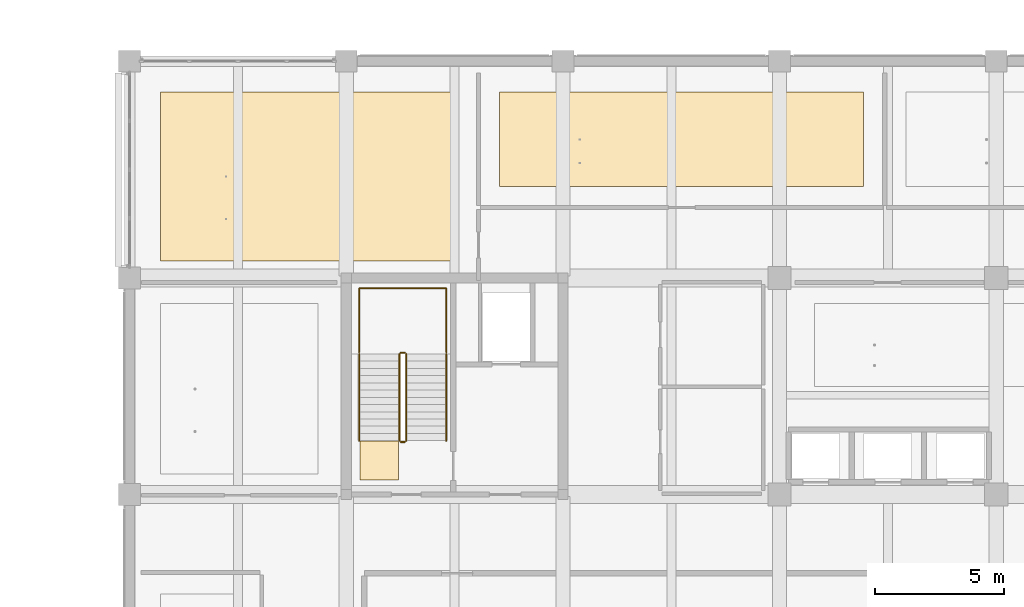
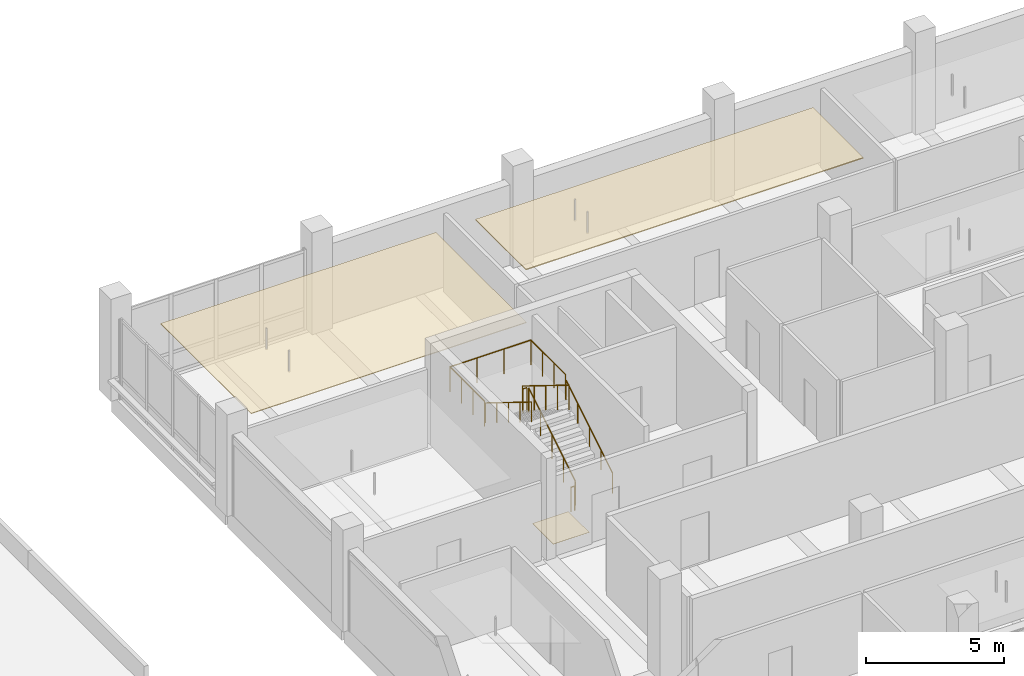
# One storey, part 31 of 39: 7 railings, 3 coverings.
"""IFC4 building model written with IfcOpenShell, lengths in metres."""

import ifcopenshell
import ifcopenshell.guid

model = None  # the IFC model being written
_history = None  # IfcOwnerHistory: only IFC2X3 demands one
_inside = {}  # id of a spatial element -> (the spatial element, [elements in it])
_under = {}  # id of a project, library or spatial element -> (it, [spatial elements below it])
_declared = {}  # id of a project -> (the project, [libraries it declares])
_typed = {}  # id of a type object -> (the type object, [elements of that type])
_made_of = {}  # id of a material, layer set ... -> (it, [elements and type objects made of it])


def new_model(schema):
    """Start an empty IFC model of exactly this schema.

    Asked for "IFC4X3", IfcOpenShell would pick the latest addendum, in which some entities
    have other attributes; the version numbers below select the first issue.
    IFC2X3 requires an IfcOwnerHistory on every rooted entity: one is made here for all.
    """
    global model, _history
    if schema == "IFC4X3":
        model = ifcopenshell.file(schema_version=(4, 3, 0, 0))
    else:
        model = ifcopenshell.file(schema=schema)
    _inside.clear()
    _under.clear()
    _declared.clear()
    _typed.clear()
    _made_of.clear()
    _history = None
    if model.schema == "IFC2X3":
        org = make("IfcOrganization", Name="unknown")
        user = make(
            "IfcPersonAndOrganization",
            ThePerson=make("IfcPerson", FamilyName="unknown"),
            TheOrganization=org,
        )
        app = make(
            "IfcApplication",
            ApplicationDeveloper=org,
            Version="unknown",
            ApplicationFullName="unknown",
            ApplicationIdentifier="unknown",
        )
        _history = make(
            "IfcOwnerHistory",
            OwningUser=user,
            OwningApplication=app,
            ChangeAction="ADDED",
            CreationDate=0,
        )
    return model


def make(cls, **values):
    """One entity of the class cls with the attributes given. An attribute that is None is left unset."""
    return model.create_entity(
        cls, **{name: value for name, value in values.items() if value is not None}
    )


def rooted(cls, **values):
    """An entity with a GlobalId (a new one), such as an element, a storey or a relation."""
    return make(cls, GlobalId=ifcopenshell.guid.new(), OwnerHistory=_history, **values)


def si_unit(unit_type, name, prefix=None):
    """IfcSIUnit, for example si_unit("LENGTHUNIT", "METRE", prefix="MILLI")."""
    return make("IfcSIUnit", UnitType=unit_type, Prefix=prefix, Name=name)


def assignment(units):
    """IfcUnitAssignment: the units of a project."""
    return None if units is None else make("IfcUnitAssignment", Units=units)


def point(xyz):
    """IfcCartesianPoint."""
    return None if xyz is None else make("IfcCartesianPoint", Coordinates=xyz)


def direction(xyz):
    """IfcDirection."""
    return None if xyz is None else make("IfcDirection", DirectionRatios=xyz)


def frame(location, z_axis=None, x_axis=None):
    """IfcAxis2Placement3D, a coordinate frame: its origin and axes. An axis left out is left unset."""
    return make(
        "IfcAxis2Placement3D",
        Location=point(location),
        Axis=direction(z_axis),
        RefDirection=direction(x_axis),
    )


def frame_2d(location, x_axis=None):
    """IfcAxis2Placement2D, a coordinate frame in the plane: its origin and x axis."""
    return make(
        "IfcAxis2Placement2D", Location=point(location), RefDirection=direction(x_axis)
    )


def origin():
    """The frame at (0, 0, 0) with its axes left unset."""
    return frame((0.0, 0.0, 0.0))


def origin_2d():
    """The frame at (0, 0) in the plane with its x axis left unset."""
    return frame_2d((0.0, 0.0))


def place(relative_to, where):
    """IfcLocalPlacement: puts the frame where relative to a parent placement (None: the world)."""
    return make(
        "IfcLocalPlacement", PlacementRelTo=relative_to, RelativePlacement=where
    )


def context(
    kind, dimensions, precision=None, world=None, true_north=None, identifier=None
):
    """IfcGeometricRepresentationContext, for example the 3D "Model" context."""
    return make(
        "IfcGeometricRepresentationContext",
        ContextIdentifier=identifier,
        ContextType=kind,
        CoordinateSpaceDimension=dimensions,
        Precision=precision,
        WorldCoordinateSystem=world,
        TrueNorth=true_north,
    )


def subcontext(parent, identifier, kind, view, scale=None):
    """IfcGeometricRepresentationSubContext, for example "Body" below "Model"."""
    return make(
        "IfcGeometricRepresentationSubContext",
        ContextIdentifier=identifier,
        ContextType=kind,
        ParentContext=parent,
        TargetScale=scale,
        TargetView=view,
    )


def project(units=None, contexts=None):
    """IfcProject with its units and contexts."""
    return rooted(
        "IfcProject",
        Name="project",
        RepresentationContexts=contexts,
        UnitsInContext=assignment(units),
    )


def spatial(cls, under=None, at=None, **own):
    """A site, building, storey or space (cls), placed at a placement, below another one or the project."""
    s = rooted(cls, ObjectPlacement=at, **own)
    if under is not None:
        _under.setdefault(under.id(), (under, []))[1].append(s)
    return s


def polyline(points):
    """IfcPolyline through the points."""
    return make("IfcPolyline", Points=[point(p) for p in points])


def profile(cls, at=None, kind="AREA", **sizes):
    """A parametric profile (cls). Its sizes go by their IFC names, for example OverallWidth=200.0."""
    return make(cls, ProfileType=kind, Position=at, **sizes)


def circle(**sizes):
    """IfcCircleProfileDef."""
    return profile("IfcCircleProfileDef", **sizes)


def outline(outer, holes=None, kind="AREA"):
    """IfcArbitraryClosedProfileDef: a profile drawn as a closed curve; with holes, ...WithVoids."""
    if holes is None:
        return make("IfcArbitraryClosedProfileDef", ProfileType=kind, OuterCurve=outer)
    return make(
        "IfcArbitraryProfileDefWithVoids",
        ProfileType=kind,
        OuterCurve=outer,
        InnerCurves=holes,
    )


def extrude(swept, where, along, depth):
    """IfcExtrudedAreaSolid: the profile swept, set in the frame where, extruded along a direction by depth."""
    return make(
        "IfcExtrudedAreaSolid",
        SweptArea=swept,
        Position=where,
        ExtrudedDirection=direction(along),
        Depth=depth,
    )


def shape(context_of_items, identifier, shape_type, items):
    """IfcShapeRepresentation: the items that make up one representation, for example the "Body"."""
    return make(
        "IfcShapeRepresentation",
        ContextOfItems=context_of_items,
        RepresentationIdentifier=identifier,
        RepresentationType=shape_type,
        Items=items,
    )


def material(Name=None, Category=None):
    """IfcMaterial."""
    return make("IfcMaterial", Name=Name, Category=Category)


def layer(
    of_material, thickness, ventilated=None, Name=None, Category=None, Priority=None
):
    """IfcMaterialLayer: one layer of a wall or slab, of a material (None: an air gap)."""
    return make(
        "IfcMaterialLayer",
        Material=of_material,
        LayerThickness=thickness,
        IsVentilated=ventilated,
        Name=Name,
        Category=Category,
        Priority=Priority,
    )


def layer_set(layers, Name=None):
    """IfcMaterialLayerSet."""
    return make("IfcMaterialLayerSet", MaterialLayers=layers, LayerSetName=Name)


def made_of(thing, what):
    """Note that an element or type object is made of a material, layer set ...; save() writes the relation."""
    if what is not None:
        _made_of.setdefault(what.id(), (what, []))[1].append(thing)
    return thing


def type_object(cls, material=None, **own):
    """A type object (cls), such as IfcWallType, which elements share."""
    return made_of(rooted(cls, **own), material)


def element(
    cls,
    number,
    at=None,
    inside=None,
    cuts=None,
    type_object=None,
    material=None,
    context=None,
    identifier="Body",
    shape_type=None,
    held_by="IfcProductDefinitionShape",
    body=None,
    shapes=None,
    **own,
):
    """One element of the class cls, such as IfcWall. Its Tag is "e" and its number.

    at: its placement. inside: the storey or other place that contains it. cuts: it is an
    opening in that element (IfcRelVoidsElement). A single representation is given by context,
    identifier, shape_type and body (its items); several are given by shapes. held_by: the class
    of the entity that holds the representations. save() writes the other relations.
    """
    e = rooted(cls, Tag="e%d" % number, ObjectPlacement=at, **own)
    if body is not None:
        shapes = [shape(context, identifier, shape_type, body)]
    if shapes is not None:
        e.Representation = make(held_by, Representations=shapes)
    if inside is not None:
        _inside.setdefault(inside.id(), (inside, []))[1].append(e)
    if cuts is not None:
        rooted(
            "IfcRelVoidsElement", RelatingBuildingElement=cuts, RelatedOpeningElement=e
        )
    if type_object is not None:
        _typed.setdefault(type_object.id(), (type_object, []))[1].append(e)
    return made_of(e, material)


def aggregate(whole, parts):
    """IfcRelAggregates: a whole, such as a stair, and the parts it consists of."""
    return rooted("IfcRelAggregates", RelatingObject=whole, RelatedObjects=parts)


def save(model, path):
    """Write the relations noted so far, then the file.

    IfcRelAggregates (storeys below a building ...), IfcRelContainedInSpatialStructure (elements
    in a storey), IfcRelDefinesByType, IfcRelAssociatesMaterial and IfcRelDeclares: one each for
    every whole, place, type object, material and project.
    """
    for whole, parts in _under.values():
        aggregate(whole, parts)
    for where, things in _inside.values():
        rooted(
            "IfcRelContainedInSpatialStructure",
            RelatedElements=things,
            RelatingStructure=where,
        )
    for kind, things in _typed.values():
        rooted("IfcRelDefinesByType", RelatedObjects=things, RelatingType=kind)
    for what, things in _made_of.values():
        rooted("IfcRelAssociatesMaterial", RelatedObjects=things, RelatingMaterial=what)
    for by, libraries in _declared.values():
        rooted("IfcRelDeclares", RelatingContext=by, RelatedDefinitions=libraries)
    model.write(path)


model = new_model("IFC4")

# Units and contexts
model_context = context("Model", 3, precision=1e-05, world=origin(), true_north=direction((0.0, 1.0)))
body_context = subcontext(model_context, "Body", "Model", "MODEL_VIEW")
ifc_project = project(units=[si_unit("LENGTHUNIT", "METRE"), si_unit("AREAUNIT", "SQUARE_METRE"), si_unit("VOLUMEUNIT", "CUBIC_METRE"), si_unit("PLANEANGLEUNIT", "RADIAN"), si_unit("MASSUNIT", "GRAM", prefix="KILO")], contexts=[model_context])

# Site, building, storey
site_placement = place(None, origin())
site = spatial("IfcSite", under=ifc_project, at=site_placement, CompositionType="ELEMENT")
building_placement = place(site_placement, origin())
building = spatial("IfcBuilding", under=site, at=building_placement, Name="Telukmera Botanical Conservatory", CompositionType="ELEMENT")
storey_placement = place(building_placement, frame((0.0, 0.0, 19.5)))
storey = spatial("IfcBuildingStorey", under=building, at=storey_placement, Name="L04", CompositionType="ELEMENT", Elevation=19.5)

# Coverings
ifc_material_1 = material(Name="Mineral fibre acoustic ceiling")
ifc_layer_1 = layer(ifc_material_1, 0.030029296875)
ifc_layer_set_1 = layer_set([ifc_layer_1], Name="Mineral fibre acoustic ceiling")
covering_type_1 = type_object("IfcCoveringType", Name="COV-CEIL-30", PredefinedType="CEILING", material=ifc_layer_set_1)
covering_1_placement = place(storey_placement, frame((0.0, 0.0, 3.320068359375)))
element("IfcCovering", 1, at=covering_1_placement, inside=storey, type_object=covering_type_1, Name="L04 Pteridophyte Curation Studio Suspended Acoustic Ceiling", PredefinedType="CEILING", context=body_context, shape_type="SweptSolid", body=[
    extrude(outline(polyline([(51.60009765625, 35.050048828125), (63.10009765625, 35.050048828125), (63.10009765625, 41.60009765625), (51.60009765625, 41.60009765625), (51.60009765625, 35.050048828125)])), origin(), (0.0, 0.0, 1.0), 0.030029296875),
])
ifc_material_2 = material(Name="Perforated gypsum acoustic ceiling")
ifc_layer_2 = layer(ifc_material_2, 0.0400390625)
ifc_layer_set_2 = layer_set([ifc_layer_2], Name="Perforated gypsum acoustic ceiling")
covering_type_2 = type_object("IfcCoveringType", Name="COV-CEIL-40", PredefinedType="CEILING", material=ifc_layer_set_2)
covering_2_placement = place(storey_placement, frame((0.0, 0.0, 3.31005859375)))
element("IfcCovering", 2, at=covering_2_placement, inside=storey, type_object=covering_type_2, Name="L04 Angiosperm Systematics Studio Suspended Acoustic Ceiling", PredefinedType="CEILING", context=body_context, shape_type="SweptSolid", body=[
    extrude(outline(polyline([(64.75, 37.949951171875), (78.85009765625, 37.949951171875), (78.85009765625, 41.60009765625), (64.75, 41.60009765625), (64.75, 37.949951171875)])), origin(), (0.0, 0.0, 1.0), 0.0400390625),
])
ifc_material_3 = material(Name="Honed granite non-slip flooring", Category="masonry")
ifc_layer_3 = layer(ifc_material_3, 0.011962890625)
ifc_layer_set_3 = layer_set([ifc_layer_3], Name="Honed granite non-slip flooring")
covering_type_3 = type_object("IfcCoveringType", Name="COV-FLR-12", PredefinedType="FLOORING", material=ifc_layer_set_3)
covering_3_placement = place(storey_placement, origin())
element("IfcCovering", 3, at=covering_3_placement, inside=storey, type_object=covering_type_3, Name="L04 ST1 Non-Slip Stair Landing Finish", PredefinedType="FLOORING", context=body_context, shape_type="SweptSolid", body=[
    extrude(outline(polyline([(60.830078125, 26.570068359375), (60.830078125, 28.0849609375), (59.330078125, 28.0849609375), (59.330078125, 26.570068359375), (60.830078125, 26.570068359375)])), origin(), (0.0, 0.0, 1.0), 0.011962890625),
])

# Railings
ifc_material_4 = material(Name="Steel S355", Category="steel")
railing_type_1 = type_object("IfcRailingType", Name="RL-GUARD-1100", PredefinedType="GUARDRAIL", material=ifc_material_4)
railing_1_placement = place(storey_placement, frame((61.1201171875, 28.090087890625, 0.173095703125)))
element("IfcRailing", 4, at=railing_1_placement, inside=storey, type_object=railing_type_1, Name="L04 ST1 stair guard 1", PredefinedType="GUARDRAIL", context=body_context, shape_type="SweptSolid", body=[
    extrude(circle(Radius=0.02392578125, at=origin_2d()), frame((0.0, 0.0, 1.076171875), z_axis=(0.0, 0.850606129759, 0.525803396734), x_axis=(-1.0, 0.0, 0.0)), (0.0, 0.0, 1.0), 3.949951171875),
    extrude(circle(Radius=0.02099609375, at=origin_2d()), origin(), (0.0, 0.0, 1.0), 1.052001953125),
    extrude(circle(Radius=0.02099609375, at=origin_2d()), frame((0.0, 0.83984375, 0.519287109375)), (0.0, 0.0, 1.0), 1.052001953125),
    extrude(circle(Radius=0.02099609375, at=origin_2d()), frame((0.0, 1.679931640625, 1.03857421875)), (0.0, 0.0, 1.0), 1.052001953125),
    extrude(circle(Radius=0.02099609375, at=origin_2d()), frame((0.0, 2.52001953125, 1.5576171875)), (0.0, 0.0, 1.0), 1.052001953125),
    extrude(circle(Radius=0.02099609375, at=origin_2d()), frame((0.0, 3.35986328125, 2.076904296875)), (0.0, 0.0, 1.0), 1.052001953125),
])
railing_2_placement = place(storey_placement, frame((61.070068359375, 31.5, 2.25)))
element("IfcRailing", 5, at=railing_2_placement, inside=storey, type_object=railing_type_1, Name="L04 ST1 stair guard 2", PredefinedType="GUARDRAIL", context=body_context, shape_type="SweptSolid", body=[
    extrude(circle(Radius=0.02392578125, at=origin_2d()), frame((0.0, 0.0, 1.076171875), z_axis=(-1.0, 0.0, 0.0), x_axis=(0.0, -1.0, 0.0)), (0.0, 0.0, 1.0), 0.16015625),
    extrude(circle(Radius=0.02099609375, at=origin_2d()), origin(), (0.0, 0.0, 1.0), 1.052001953125),
    extrude(circle(Radius=0.02099609375, at=origin_2d()), frame((-0.16015625, 0.0, 0.0)), (0.0, 0.0, 1.0), 1.052001953125),
])
railing_3_placement = place(storey_placement, frame((60.860107421875, 31.449951171875, 2.423095703125)))
element("IfcRailing", 6, at=railing_3_placement, inside=storey, type_object=railing_type_1, Name="L04 ST1 stair guard 3", PredefinedType="GUARDRAIL", context=body_context, shape_type="SweptSolid", body=[
    extrude(circle(Radius=0.02392578125, at=origin_2d()), frame((0.0, 0.0, 1.076171875), z_axis=(0.0, -0.850606129759, 0.525803396734), x_axis=(1.0, 0.0, 0.0)), (0.0, 0.0, 1.0), 3.949951171875),
    extrude(circle(Radius=0.02099609375, at=origin_2d()), origin(), (0.0, 0.0, 1.0), 1.052001953125),
    extrude(circle(Radius=0.02099609375, at=origin_2d()), frame((0.0, -0.83984375, 0.519287109375)), (0.0, 0.0, 1.0), 1.052001953125),
    extrude(circle(Radius=0.02099609375, at=origin_2d()), frame((0.0, -1.679931640625, 1.03857421875)), (0.0, 0.0, 1.0), 1.052001953125),
    extrude(circle(Radius=0.02099609375, at=origin_2d()), frame((0.0, -2.52001953125, 1.5576171875)), (0.0, 0.0, 1.0), 1.052001953125),
    extrude(circle(Radius=0.02099609375, at=origin_2d()), frame((0.0, -3.35986328125, 2.076904296875)), (0.0, 0.0, 1.0), 1.052001953125),
])
railing_4_placement = place(storey_placement, frame((61.070068359375, 28.0400390625, 0.0)))
element("IfcRailing", 7, at=railing_4_placement, inside=storey, type_object=railing_type_1, Name="L04 ST1 stair guard 4", PredefinedType="GUARDRAIL", context=body_context, shape_type="SweptSolid", body=[
    extrude(circle(Radius=0.02392578125, at=origin_2d()), frame((0.0, 0.0, 1.076171875), z_axis=(-1.0, 0.0, 0.0), x_axis=(0.0, -1.0, 0.0)), (0.0, 0.0, 1.0), 0.16015625),
    extrude(circle(Radius=0.02099609375, at=origin_2d()), origin(), (0.0, 0.0, 1.0), 1.052001953125),
    extrude(circle(Radius=0.02099609375, at=origin_2d()), frame((-0.16015625, 0.0, 0.0)), (0.0, 0.0, 1.0), 1.052001953125),
])
railing_5_placement = place(storey_placement, frame((62.679931640625, 31.5, 2.25)))
element("IfcRailing", 8, at=railing_5_placement, inside=storey, type_object=railing_type_1, Name="L04 ST1 half-landing perimeter guard 1", PredefinedType="GUARDRAIL", context=body_context, shape_type="SweptSolid", body=[
    extrude(circle(Radius=0.02392578125, at=origin_2d()), frame((0.0, 0.0, 1.09619140625), z_axis=(0.0, 1.0, 0.0), x_axis=(-1.0, 0.0, 0.0)), (0.0, 0.0, 1.0), 2.5),
    extrude(circle(Radius=0.02392578125, at=origin_2d()), frame((0.0, 2.5, 1.09619140625), z_axis=(-1.0, 0.0, 0.0), x_axis=(0.0, -1.0, 0.0)), (0.0, 0.0, 1.0), 3.3798828125),
    extrude(circle(Radius=0.02392578125, at=origin_2d()), frame((-3.3798828125, 2.5, 1.09619140625), z_axis=(0.0, -1.0, 0.0), x_axis=(1.0, 0.0, 0.0)), (0.0, 0.0, 1.0), 2.5),
    extrude(circle(Radius=0.02099609375, at=origin_2d()), origin(), (0.0, 0.0, 1.0), 1.072021484375),
    extrude(circle(Radius=0.02099609375, at=origin_2d()), frame((0.0, 0.833251953125, 0.0)), (0.0, 0.0, 1.0), 1.072021484375),
    extrude(circle(Radius=0.02099609375, at=origin_2d()), frame((0.0, 1.666748046875, 0.0)), (0.0, 0.0, 1.0), 1.072021484375),
    extrude(circle(Radius=0.02099609375, at=origin_2d()), frame((0.0, 2.5, 0.0)), (0.0, 0.0, 1.0), 1.072021484375),
    extrude(circle(Radius=0.02099609375, at=origin_2d()), frame((-1.126708984375, 2.5, 0.0)), (0.0, 0.0, 1.0), 1.072021484375),
    extrude(circle(Radius=0.02099609375, at=origin_2d()), frame((-2.253173828125, 2.5, 0.0)), (0.0, 0.0, 1.0), 1.072021484375),
    extrude(circle(Radius=0.02099609375, at=origin_2d()), frame((-3.3798828125, 2.5, 0.0)), (0.0, 0.0, 1.0), 1.072021484375),
    extrude(circle(Radius=0.02099609375, at=origin_2d()), frame((-3.3798828125, 1.666748046875, 0.0)), (0.0, 0.0, 1.0), 1.072021484375),
    extrude(circle(Radius=0.02099609375, at=origin_2d()), frame((-3.3798828125, 0.833251953125, 0.0)), (0.0, 0.0, 1.0), 1.072021484375),
    extrude(circle(Radius=0.02099609375, at=origin_2d()), frame((-3.3798828125, 0.0, 0.0)), (0.0, 0.0, 1.0), 1.072021484375),
])
ifc_material_5 = material(Name="Stainless steel 316", Category="steel")
railing_type_2 = type_object("IfcRailingType", Name="RL-HAND-900", PredefinedType="HANDRAIL", material=ifc_material_5)
railing_6_placement = place(storey_placement, frame((62.679931640625, 28.090087890625, 0.173095703125)))
element("IfcRailing", 9, at=railing_6_placement, inside=storey, type_object=railing_type_2, Name="L04 ST1 stair handrail 1", PredefinedType="HANDRAIL", context=body_context, shape_type="SweptSolid", body=[
    extrude(circle(Radius=0.02392578125, at=origin_2d()), frame((0.0, 0.0, 0.8759765625), z_axis=(0.0, 0.850606129759, 0.525803396734), x_axis=(-1.0, 0.0, 0.0)), (0.0, 0.0, 1.0), 3.949951171875),
    extrude(circle(Radius=0.02099609375, at=origin_2d()), origin(), (0.0, 0.0, 1.0), 0.851806640625),
    extrude(circle(Radius=0.02099609375, at=origin_2d()), frame((0.0, 0.83984375, 0.519287109375)), (0.0, 0.0, 1.0), 0.851806640625),
    extrude(circle(Radius=0.02099609375, at=origin_2d()), frame((0.0, 1.679931640625, 1.03857421875)), (0.0, 0.0, 1.0), 0.851806640625),
    extrude(circle(Radius=0.02099609375, at=origin_2d()), frame((0.0, 2.52001953125, 1.5576171875)), (0.0, 0.0, 1.0), 0.851806640625),
    extrude(circle(Radius=0.02099609375, at=origin_2d()), frame((0.0, 3.35986328125, 2.076904296875)), (0.0, 0.0, 1.0), 0.851806640625),
])
railing_7_placement = place(storey_placement, frame((59.300048828125, 31.449951171875, 2.423095703125)))
element("IfcRailing", 10, at=railing_7_placement, inside=storey, type_object=railing_type_2, Name="L04 ST1 stair handrail 2", PredefinedType="HANDRAIL", context=body_context, shape_type="SweptSolid", body=[
    extrude(circle(Radius=0.02392578125, at=origin_2d()), frame((0.0, 0.0, 0.8759765625), z_axis=(0.0, -0.850606129759, 0.525803396734), x_axis=(1.0, 0.0, 0.0)), (0.0, 0.0, 1.0), 3.949951171875),
    extrude(circle(Radius=0.02099609375, at=origin_2d()), origin(), (0.0, 0.0, 1.0), 0.851806640625),
    extrude(circle(Radius=0.02099609375, at=origin_2d()), frame((0.0, -0.83984375, 0.519287109375)), (0.0, 0.0, 1.0), 0.851806640625),
    extrude(circle(Radius=0.02099609375, at=origin_2d()), frame((0.0, -1.679931640625, 1.03857421875)), (0.0, 0.0, 1.0), 0.851806640625),
    extrude(circle(Radius=0.02099609375, at=origin_2d()), frame((0.0, -2.52001953125, 1.5576171875)), (0.0, 0.0, 1.0), 0.851806640625),
    extrude(circle(Radius=0.02099609375, at=origin_2d()), frame((0.0, -3.35986328125, 2.076904296875)), (0.0, 0.0, 1.0), 0.851806640625),
])

save(model, "model.ifc")
